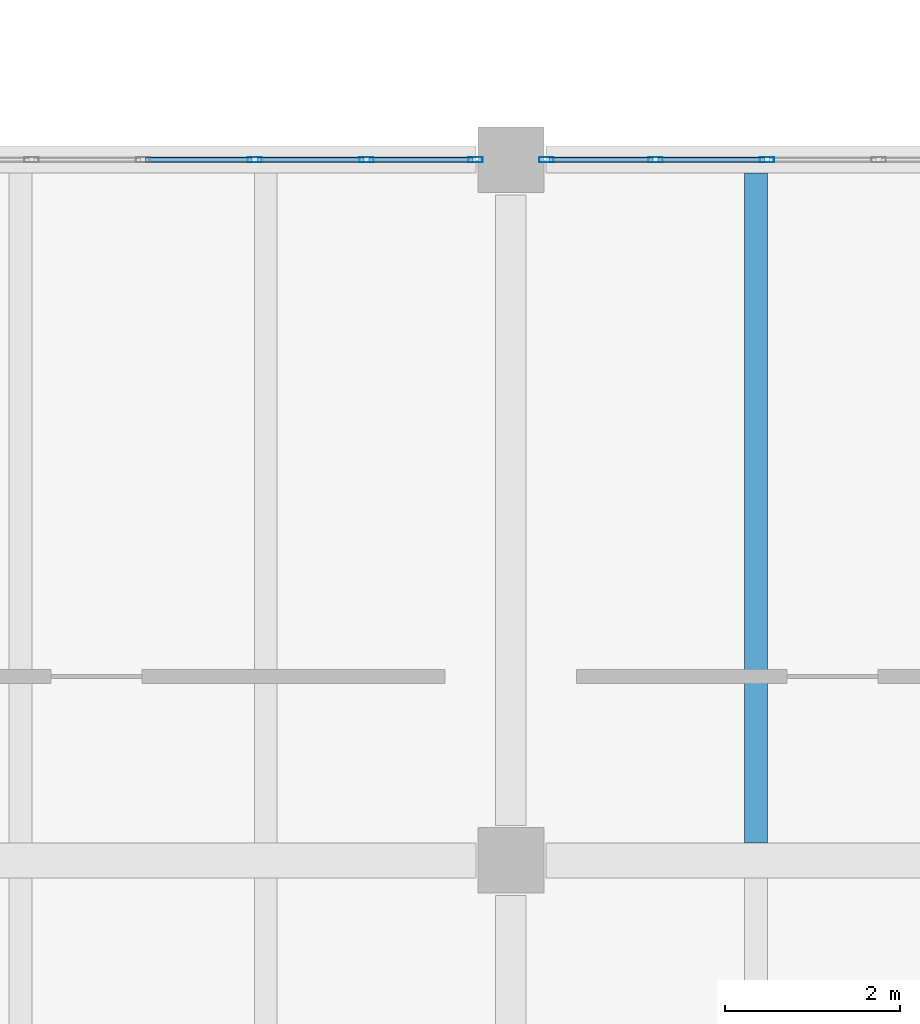
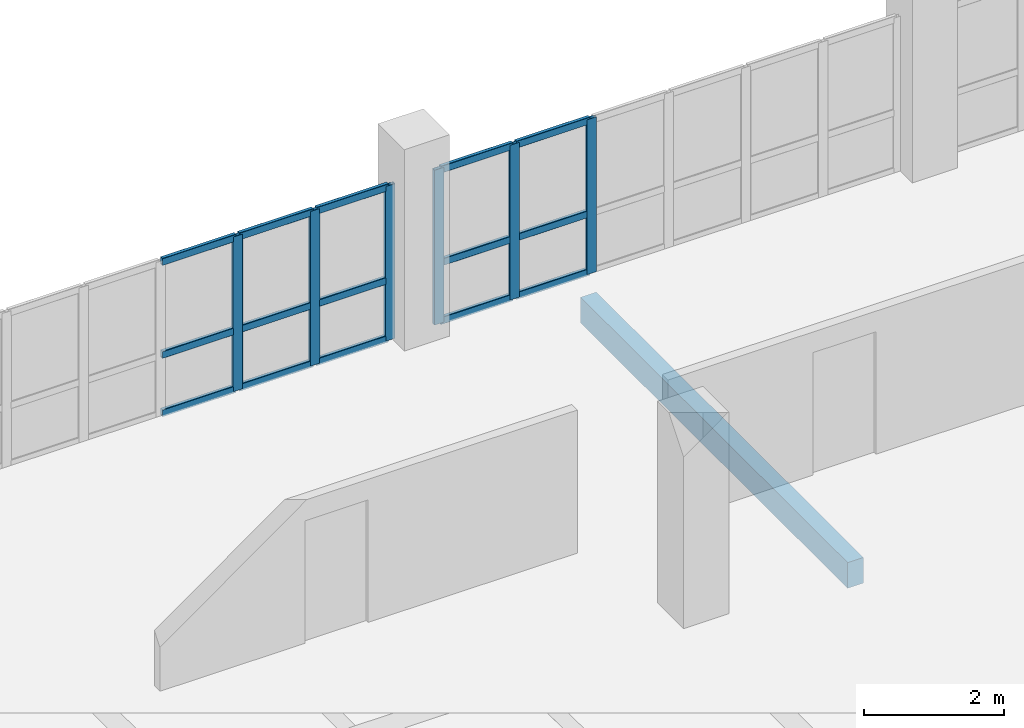
# One storey, part 21 of 95: 21 members, 1 beam, 2 elements without a shape of their own.
"""IFC4 building model written with IfcOpenShell, lengths in metres."""

from ifc_helpers import new_model, si_unit, direction, frame, origin, origin_2d, place, context, subcontext, project, spatial, rectangle, hollow_rectangle, extrude, material, layer, layer_set, material_profile, profile_set, type_object, element, aggregate, save


model = new_model("IFC4")

# Units and contexts
model_context = context("Model", 3, precision=1e-05, world=origin(), true_north=direction((0.0, 1.0)))
body_context = subcontext(model_context, "Body", "Model", "MODEL_VIEW")
ifc_project = project(units=[si_unit("LENGTHUNIT", "METRE"), si_unit("AREAUNIT", "SQUARE_METRE"), si_unit("VOLUMEUNIT", "CUBIC_METRE"), si_unit("PLANEANGLEUNIT", "RADIAN"), si_unit("MASSUNIT", "GRAM", prefix="KILO"), si_unit("THERMODYNAMICTEMPERATUREUNIT", "KELVIN"), si_unit("POWERUNIT", "WATT")], contexts=[model_context])

# Site, building, storey
site_placement = place(None, origin())
site = spatial("IfcSite", under=ifc_project, at=site_placement, CompositionType="ELEMENT")
building_placement = place(site_placement, origin())
building = spatial("IfcBuilding", under=site, at=building_placement, Name="Mavoryth Pier Ferry Terminal", CompositionType="ELEMENT")
storey_placement = place(building_placement, frame((0.0, 0.0, 9.60009765625)))
storey = spatial("IfcBuildingStorey", under=building, at=storey_placement, Name="L02", CompositionType="ELEMENT", Elevation=9.60009765625)

# Beam
ifc_material_1 = material(Name="Concrete C35/45", Category="concrete")
ifc_material_profile_1 = material_profile(ifc_material_1, rectangle(XDim=0.260009765625, YDim=0.449951171875, at=origin_2d()), Name="RC 260x450", Category="concrete")
ifc_profile_set_1 = profile_set([ifc_material_profile_1], Name="Concrete C35/45 - RC 260x450")
beam_type = type_object("IfcBeamType", Name="Joist-RC-260x450", PredefinedType="JOIST", material=ifc_profile_set_1)
beam_placement = place(storey_placement, frame((78.39990234375, 14.199951171875, -0.485107421875), z_axis=(0.0, 1.0, 0.0), x_axis=(-1.0, 0.0, 0.0)))
element("IfcBeam", 1, at=beam_placement, inside=storey, type_object=beam_type, Name="Beam B02-BJ03-1020", PredefinedType="JOIST", context=body_context, shape_type="SweptSolid", body=[
    extrude(rectangle(XDim=0.260009765625, YDim=0.449951171875, at=origin_2d()), origin(), (0.0, 0.0, 1.0), 7.650146484375),
])

# Curtain wall, members
ifc_material_2 = material(Name="Anodised Aluminium and Solar-Control Low-E Glass", Category="aluminium")
ifc_layer = layer(ifc_material_2, 0.239990234375, Name="Anodised Aluminium and Solar-Control Low-E Glass", Category="aluminium")
ifc_layer_set = layer_set([ifc_layer], Name="Anodised Aluminium and Solar-Control Low-E Glass - CW-Operations-Mod1200")
curtain_wall_type = type_object("IfcCurtainWallType", Name="CW-Operations-Mod1200", PredefinedType="USERDEFINED", material=ifc_layer_set)
curtain_wall_1_placement = place(storey_placement, origin())
curtain_wall_1 = element("IfcCurtainWall", 2, at=curtain_wall_1_placement, inside=storey, type_object=curtain_wall_type, Name="Curtain Wall CW-0222-128", ObjectType="UNITISED CURTAIN WALL", PredefinedType="USERDEFINED")
ifc_material_3 = material(Name="Anodised Aluminium EN AW-6063", Category="aluminium")
ifc_material_profile_2 = material_profile(ifc_material_3, hollow_rectangle(XDim=0.06005859375, YDim=0.1650390625, WallThickness=0.00390625, InnerFilletRadius=0.00390625, OuterFilletRadius=0.008056640625, at=origin_2d()), Name="AL-MULL 165x60x4", Category="aluminium")
ifc_profile_set_2 = profile_set([ifc_material_profile_2], Name="Anodised Aluminium EN AW-6063 - AL-MULL 165x60x4")
member_type_1 = type_object("IfcMemberType", Name="Mullion-Alum-165x60", PredefinedType="MULLION", material=ifc_profile_set_2)
member_1_placement = place(storey_placement, frame((75.195068359375, 22.0, 0.0), z_axis=(0.0, 0.0, 1.0), x_axis=(0.0, -1.0, 0.0)))
member_1 = element("IfcMember", 3, at=member_1_placement, type_object=member_type_1, Name="CW06 mullion 1", PredefinedType="MULLION", context=body_context, shape_type="SweptSolid", body=[
    extrude(hollow_rectangle(XDim=0.06005859375, YDim=0.1650390625, WallThickness=0.00390625, InnerFilletRadius=0.00390625, OuterFilletRadius=0.008056640625, at=origin_2d()), origin(), (0.0, 0.0, 1.0), 2.704833984375),
])
member_2_placement = place(storey_placement, frame((73.949951171875, 22.0, 0.0), z_axis=(0.0, 0.0, 1.0), x_axis=(0.0, -1.0, 0.0)))
member_2 = element("IfcMember", 4, at=member_2_placement, type_object=member_type_1, Name="CW06 mullion 2", PredefinedType="MULLION", context=body_context, shape_type="SweptSolid", body=[
    extrude(hollow_rectangle(XDim=0.06005859375, YDim=0.1650390625, WallThickness=0.00390625, InnerFilletRadius=0.00390625, OuterFilletRadius=0.008056640625, at=origin_2d()), origin(), (0.0, 0.0, 1.0), 2.704833984375),
])
member_3_placement = place(storey_placement, frame((72.675048828125, 22.0, 0.0), z_axis=(0.0, 0.0, 1.0), x_axis=(0.0, -1.0, 0.0)))
member_3 = element("IfcMember", 5, at=member_3_placement, type_object=member_type_1, Name="CW06 mullion 3", PredefinedType="MULLION", context=body_context, shape_type="SweptSolid", body=[
    extrude(hollow_rectangle(XDim=0.06005859375, YDim=0.1650390625, WallThickness=0.00390625, InnerFilletRadius=0.00390625, OuterFilletRadius=0.008056640625, at=origin_2d()), origin(), (0.0, 0.0, 1.0), 2.704833984375),
])

curtain_wall_2_placement = place(storey_placement, origin())
curtain_wall_2 = element("IfcCurtainWall", 6, at=curtain_wall_2_placement, inside=storey, type_object=curtain_wall_type, Name="Curtain Wall CW-0222-130", ObjectType="UNITISED CURTAIN WALL", PredefinedType="USERDEFINED")
member_4_placement = place(storey_placement, frame((78.52490234375, 22.0, 0.0), z_axis=(0.0, 0.0, 1.0), x_axis=(0.0, -1.0, 0.0)))
member_4 = element("IfcMember", 7, at=member_4_placement, type_object=member_type_1, Name="CW06 mullion 5", PredefinedType="MULLION", context=body_context, shape_type="SweptSolid", body=[
    extrude(hollow_rectangle(XDim=0.06005859375, YDim=0.1650390625, WallThickness=0.00390625, InnerFilletRadius=0.00390625, OuterFilletRadius=0.008056640625, at=origin_2d()), origin(), (0.0, 0.0, 1.0), 2.704833984375),
])
member_5_placement = place(storey_placement, frame((77.25, 22.0, 0.0), z_axis=(0.0, 0.0, 1.0), x_axis=(0.0, -1.0, 0.0)))
member_5 = element("IfcMember", 8, at=member_5_placement, type_object=member_type_1, Name="CW06 mullion 6", PredefinedType="MULLION", context=body_context, shape_type="SweptSolid", body=[
    extrude(hollow_rectangle(XDim=0.06005859375, YDim=0.1650390625, WallThickness=0.00390625, InnerFilletRadius=0.00390625, OuterFilletRadius=0.008056640625, at=origin_2d()), origin(), (0.0, 0.0, 1.0), 2.704833984375),
])
member_6_placement = place(storey_placement, frame((76.0048828125, 22.0, 0.0), z_axis=(0.0, 0.0, 1.0), x_axis=(0.0, -1.0, 0.0)))
member_6 = element("IfcMember", 9, at=member_6_placement, type_object=member_type_1, Name="CW06 mullion 7", PredefinedType="MULLION", context=body_context, shape_type="SweptSolid", body=[
    extrude(hollow_rectangle(XDim=0.06005859375, YDim=0.1650390625, WallThickness=0.00390625, InnerFilletRadius=0.00390625, OuterFilletRadius=0.008056640625, at=origin_2d()), origin(), (0.0, 0.0, 1.0), 2.704833984375),
])

# Member
ifc_material_profile_3 = material_profile(ifc_material_3, hollow_rectangle(XDim=0.06005859375, YDim=0.125, WallThickness=0.00390625, InnerFilletRadius=0.00390625, OuterFilletRadius=0.008056640625, at=origin_2d()), Name="AL-TRAN 125x60x4", Category="aluminium")
ifc_profile_set_3 = profile_set([ifc_material_profile_3], Name="Anodised Aluminium EN AW-6063 - AL-TRAN 125x60x4")
member_type_2 = type_object("IfcMemberType", Name="Transom-Alum-125x60", PredefinedType="USERDEFINED", material=ifc_profile_set_3)
member_7_placement = place(storey_placement, frame((75.1650390625, 22.0, 0.02978515625), z_axis=(-1.0, 0.0, 0.0), x_axis=(0.0, -1.0, 0.0)))
member_7 = element("IfcMember", 10, at=member_7_placement, type_object=member_type_2, Name="CW06 transom 1.1", ObjectType="TRANSOM", PredefinedType="USERDEFINED", context=body_context, shape_type="SweptSolid", body=[
    extrude(hollow_rectangle(XDim=0.06005859375, YDim=0.125, WallThickness=0.00390625, InnerFilletRadius=0.00390625, OuterFilletRadius=0.008056640625, at=origin_2d()), origin(), (0.0, 0.0, 1.0), 1.18505859375),
])

member_8_placement = place(storey_placement, frame((75.1650390625, 22.0, 1.0498046875), z_axis=(-1.0, 0.0, 0.0), x_axis=(0.0, -1.0, 0.0)))
member_8 = element("IfcMember", 11, at=member_8_placement, type_object=member_type_2, Name="CW06 transom 1.2", ObjectType="TRANSOM", PredefinedType="USERDEFINED", context=body_context, shape_type="SweptSolid", body=[
    extrude(hollow_rectangle(XDim=0.06005859375, YDim=0.125, WallThickness=0.00390625, InnerFilletRadius=0.00390625, OuterFilletRadius=0.008056640625, at=origin_2d()), origin(), (0.0, 0.0, 1.0), 1.18505859375),
])

member_9_placement = place(storey_placement, frame((75.1650390625, 22.0, 2.6748046875), z_axis=(-1.0, 0.0, 0.0), x_axis=(0.0, -1.0, 0.0)))
member_9 = element("IfcMember", 12, at=member_9_placement, type_object=member_type_2, Name="CW06 transom 1.3", ObjectType="TRANSOM", PredefinedType="USERDEFINED", context=body_context, shape_type="SweptSolid", body=[
    extrude(hollow_rectangle(XDim=0.06005859375, YDim=0.125, WallThickness=0.00390625, InnerFilletRadius=0.00390625, OuterFilletRadius=0.008056640625, at=origin_2d()), origin(), (0.0, 0.0, 1.0), 1.18505859375),
])

member_10_placement = place(storey_placement, frame((73.919921875, 22.0, 0.02978515625), z_axis=(-1.0, 0.0, 0.0), x_axis=(0.0, -1.0, 0.0)))
member_10 = element("IfcMember", 13, at=member_10_placement, type_object=member_type_2, Name="CW06 transom 2.1", ObjectType="TRANSOM", PredefinedType="USERDEFINED", context=body_context, shape_type="SweptSolid", body=[
    extrude(hollow_rectangle(XDim=0.06005859375, YDim=0.125, WallThickness=0.00390625, InnerFilletRadius=0.00390625, OuterFilletRadius=0.008056640625, at=origin_2d()), origin(), (0.0, 0.0, 1.0), 1.21484375),
])

member_11_placement = place(storey_placement, frame((73.919921875, 22.0, 1.0498046875), z_axis=(-1.0, 0.0, 0.0), x_axis=(0.0, -1.0, 0.0)))
member_11 = element("IfcMember", 14, at=member_11_placement, type_object=member_type_2, Name="CW06 transom 2.2", ObjectType="TRANSOM", PredefinedType="USERDEFINED", context=body_context, shape_type="SweptSolid", body=[
    extrude(hollow_rectangle(XDim=0.06005859375, YDim=0.125, WallThickness=0.00390625, InnerFilletRadius=0.00390625, OuterFilletRadius=0.008056640625, at=origin_2d()), origin(), (0.0, 0.0, 1.0), 1.21484375),
])

member_12_placement = place(storey_placement, frame((73.919921875, 22.0, 2.6748046875), z_axis=(-1.0, 0.0, 0.0), x_axis=(0.0, -1.0, 0.0)))
member_12 = element("IfcMember", 15, at=member_12_placement, type_object=member_type_2, Name="CW06 transom 2.3", ObjectType="TRANSOM", PredefinedType="USERDEFINED", context=body_context, shape_type="SweptSolid", body=[
    extrude(hollow_rectangle(XDim=0.06005859375, YDim=0.125, WallThickness=0.00390625, InnerFilletRadius=0.00390625, OuterFilletRadius=0.008056640625, at=origin_2d()), origin(), (0.0, 0.0, 1.0), 1.21484375),
])

member_13_placement = place(storey_placement, frame((72.64501953125, 22.0, 0.02978515625), z_axis=(-1.0, 0.0, 0.0), x_axis=(0.0, -1.0, 0.0)))
member_13 = element("IfcMember", 16, at=member_13_placement, type_object=member_type_2, Name="CW06 transom 3.1", ObjectType="TRANSOM", PredefinedType="USERDEFINED", context=body_context, shape_type="SweptSolid", body=[
    extrude(hollow_rectangle(XDim=0.06005859375, YDim=0.125, WallThickness=0.00390625, InnerFilletRadius=0.00390625, OuterFilletRadius=0.008056640625, at=origin_2d()), origin(), (0.0, 0.0, 1.0), 1.215087890625),
])

member_14_placement = place(storey_placement, frame((72.64501953125, 22.0, 1.0498046875), z_axis=(-1.0, 0.0, 0.0), x_axis=(0.0, -1.0, 0.0)))
member_14 = element("IfcMember", 17, at=member_14_placement, type_object=member_type_2, Name="CW06 transom 3.2", ObjectType="TRANSOM", PredefinedType="USERDEFINED", context=body_context, shape_type="SweptSolid", body=[
    extrude(hollow_rectangle(XDim=0.06005859375, YDim=0.125, WallThickness=0.00390625, InnerFilletRadius=0.00390625, OuterFilletRadius=0.008056640625, at=origin_2d()), origin(), (0.0, 0.0, 1.0), 1.215087890625),
])

member_15_placement = place(storey_placement, frame((72.64501953125, 22.0, 2.6748046875), z_axis=(-1.0, 0.0, 0.0), x_axis=(0.0, -1.0, 0.0)))
member_15 = element("IfcMember", 18, at=member_15_placement, type_object=member_type_2, Name="CW06 transom 3.3", ObjectType="TRANSOM", PredefinedType="USERDEFINED", context=body_context, shape_type="SweptSolid", body=[
    extrude(hollow_rectangle(XDim=0.06005859375, YDim=0.125, WallThickness=0.00390625, InnerFilletRadius=0.00390625, OuterFilletRadius=0.008056640625, at=origin_2d()), origin(), (0.0, 0.0, 1.0), 1.215087890625),
])

aggregate(curtain_wall_1, [member_1, member_2, member_3, member_7, member_8, member_9, member_10, member_11, member_12, member_13, member_14, member_15])

member_16_placement = place(storey_placement, frame((78.4951171875, 22.0, 0.02978515625), z_axis=(-1.0, 0.0, 0.0), x_axis=(0.0, -1.0, 0.0)))
member_16 = element("IfcMember", 19, at=member_16_placement, type_object=member_type_2, Name="CW06 transom 5.1", ObjectType="TRANSOM", PredefinedType="USERDEFINED", context=body_context, shape_type="SweptSolid", body=[
    extrude(hollow_rectangle(XDim=0.06005859375, YDim=0.125, WallThickness=0.00390625, InnerFilletRadius=0.00390625, OuterFilletRadius=0.008056640625, at=origin_2d()), origin(), (0.0, 0.0, 1.0), 1.215087890625),
])

member_17_placement = place(storey_placement, frame((78.4951171875, 22.0, 1.0498046875), z_axis=(-1.0, 0.0, 0.0), x_axis=(0.0, -1.0, 0.0)))
member_17 = element("IfcMember", 20, at=member_17_placement, type_object=member_type_2, Name="CW06 transom 5.2", ObjectType="TRANSOM", PredefinedType="USERDEFINED", context=body_context, shape_type="SweptSolid", body=[
    extrude(hollow_rectangle(XDim=0.06005859375, YDim=0.125, WallThickness=0.00390625, InnerFilletRadius=0.00390625, OuterFilletRadius=0.008056640625, at=origin_2d()), origin(), (0.0, 0.0, 1.0), 1.215087890625),
])

member_18_placement = place(storey_placement, frame((78.4951171875, 22.0, 2.6748046875), z_axis=(-1.0, 0.0, 0.0), x_axis=(0.0, -1.0, 0.0)))
member_18 = element("IfcMember", 21, at=member_18_placement, type_object=member_type_2, Name="CW06 transom 5.3", ObjectType="TRANSOM", PredefinedType="USERDEFINED", context=body_context, shape_type="SweptSolid", body=[
    extrude(hollow_rectangle(XDim=0.06005859375, YDim=0.125, WallThickness=0.00390625, InnerFilletRadius=0.00390625, OuterFilletRadius=0.008056640625, at=origin_2d()), origin(), (0.0, 0.0, 1.0), 1.215087890625),
])

member_19_placement = place(storey_placement, frame((77.219970703125, 22.0, 0.02978515625), z_axis=(-1.0, 0.0, 0.0), x_axis=(0.0, -1.0, 0.0)))
member_19 = element("IfcMember", 22, at=member_19_placement, type_object=member_type_2, Name="CW06 transom 6.1", ObjectType="TRANSOM", PredefinedType="USERDEFINED", context=body_context, shape_type="SweptSolid", body=[
    extrude(hollow_rectangle(XDim=0.06005859375, YDim=0.125, WallThickness=0.00390625, InnerFilletRadius=0.00390625, OuterFilletRadius=0.008056640625, at=origin_2d()), origin(), (0.0, 0.0, 1.0), 1.18505859375),
])

member_20_placement = place(storey_placement, frame((77.219970703125, 22.0, 1.0498046875), z_axis=(-1.0, 0.0, 0.0), x_axis=(0.0, -1.0, 0.0)))
member_20 = element("IfcMember", 23, at=member_20_placement, type_object=member_type_2, Name="CW06 transom 6.2", ObjectType="TRANSOM", PredefinedType="USERDEFINED", context=body_context, shape_type="SweptSolid", body=[
    extrude(hollow_rectangle(XDim=0.06005859375, YDim=0.125, WallThickness=0.00390625, InnerFilletRadius=0.00390625, OuterFilletRadius=0.008056640625, at=origin_2d()), origin(), (0.0, 0.0, 1.0), 1.18505859375),
])

member_21_placement = place(storey_placement, frame((77.219970703125, 22.0, 2.6748046875), z_axis=(-1.0, 0.0, 0.0), x_axis=(0.0, -1.0, 0.0)))
member_21 = element("IfcMember", 24, at=member_21_placement, type_object=member_type_2, Name="CW06 transom 6.3", ObjectType="TRANSOM", PredefinedType="USERDEFINED", context=body_context, shape_type="SweptSolid", body=[
    extrude(hollow_rectangle(XDim=0.06005859375, YDim=0.125, WallThickness=0.00390625, InnerFilletRadius=0.00390625, OuterFilletRadius=0.008056640625, at=origin_2d()), origin(), (0.0, 0.0, 1.0), 1.18505859375),
])

aggregate(curtain_wall_2, [member_4, member_5, member_6, member_16, member_17, member_18, member_19, member_20, member_21])

save(model, "model.ifc")
